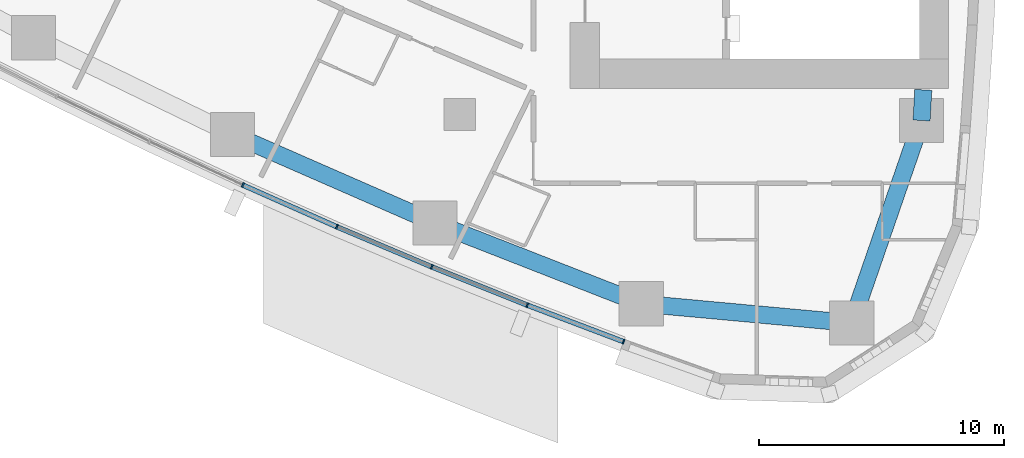
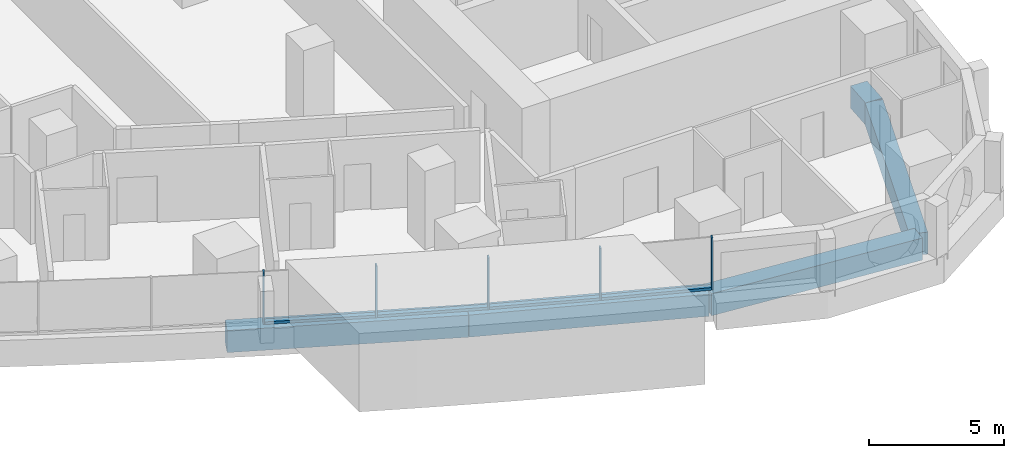
# One storey, part 3 of 19: 9 members, 5 beams, 3 elements without a shape of their own.
"""IFC4 building model written with IfcOpenShell, lengths in metres."""

from ifc_helpers import new_model, si_unit, direction, frame, origin, origin_2d, place, context, subcontext, project, spatial, rectangle, extrude, material, layer, layer_set, material_profile, profile_set, type_object, element, aggregate, save


model = new_model("IFC4")

# Units and contexts
model_context = context("Model", 3, precision=1e-05, world=origin(), true_north=direction((0.0, 1.0)))
body_context = subcontext(model_context, "Body", "Model", "MODEL_VIEW")
ifc_project = project(units=[si_unit("LENGTHUNIT", "METRE"), si_unit("AREAUNIT", "SQUARE_METRE"), si_unit("VOLUMEUNIT", "CUBIC_METRE"), si_unit("PLANEANGLEUNIT", "RADIAN"), si_unit("MASSUNIT", "GRAM", prefix="KILO")], contexts=[model_context])

# Site, building, storey
site_placement = place(None, origin())
site = spatial("IfcSite", under=ifc_project, at=site_placement, CompositionType="ELEMENT")
building_placement = place(site_placement, origin())
building = spatial("IfcBuilding", under=site, at=building_placement, Name="Ostrand Prow Hotel Tower", CompositionType="ELEMENT")
storey_placement = place(building_placement, frame((0.0, 0.0, 53.800048828125)))
storey = spatial("IfcBuildingStorey", under=building, at=storey_placement, Name="L11", CompositionType="ELEMENT", Elevation=53.800048828125)

# Beams
ifc_material_1 = material(Name="Concrete C80/95", Category="concrete")
ifc_material_profile_1 = material_profile(ifc_material_1, rectangle(XDim=0.699951171875, YDim=1.0, at=origin_2d()), Name="RC 700x1000")
ifc_profile_set_1 = profile_set([ifc_material_profile_1], Name="Concrete C80/95")
beam_type = type_object("IfcBeamType", Name="Edge beam 700x1000 C80/95", PredefinedType="SPANDREL", material=ifc_profile_set_1)
for number, where, z_axis, x_axis, name in (
    (1, (35.7412109375, -18.814208984375, -0.800048828125), (0.916095776162, -0.400959510297, 0.0), (0.400959510297, 0.916095776162, 0.0), "Edge beam S4-S5"),
    (2, (43.997802734375, -22.427978515625, -0.800048828125), (0.931329480916, -0.364177701098, 0.0), (0.364177701098, 0.931329480916, 0.0), "Edge beam S5-S6"),
):
    element("IfcBeam", number, at=place(storey_placement, frame(where, z_axis=z_axis, x_axis=x_axis)), inside=storey, type_object=beam_type, Name=name, PredefinedType="SPANDREL", context=body_context, shape_type="SweptSolid", body=[
        extrude(rectangle(XDim=0.699951171875, YDim=1.0, at=origin_2d()), origin(), (0.0, 0.0, 1.0), 9.0126953125),
    ])
beam_1_placement = place(storey_placement, frame((52.3916015625, -25.710205078125, -0.800048828125), z_axis=(0.995800189514, -0.091553167961, 0.0), x_axis=(0.091553167961, 0.995800189514, 0.0)))
element("IfcBeam", 3, at=beam_1_placement, inside=storey, type_object=beam_type, Name="Edge beam S6-SE", PredefinedType="SPANDREL", context=body_context, shape_type="SweptSolid", body=[
    extrude(rectangle(XDim=0.699951171875, YDim=1.0, at=origin_2d()), origin(), (0.0, 0.0, 1.0), 8.610595703125),
])
beam_2_placement = place(storey_placement, frame((60.966064453125, -26.49853515625, -0.800048828125), z_axis=(0.326263961413, 0.945278703602, 0.0), x_axis=(-0.945278703602, 0.326263961413, 0.0)))
element("IfcBeam", 4, at=beam_2_placement, inside=storey, type_object=beam_type, Name="Edge beam SE-B1", PredefinedType="SPANDREL", context=body_context, shape_type="SweptSolid", body=[
    extrude(rectangle(XDim=0.699951171875, YDim=1.0, at=origin_2d()), origin(), (0.0, 0.0, 1.0), 8.727294921875),
])
beam_3_placement = place(storey_placement, frame((63.8134765625, -18.248779296875, -0.800048828125), z_axis=(0.056215946509, 0.998418633319, 0.0), x_axis=(-0.998418633319, 0.056215946509, 0.0)))
element("IfcBeam", 5, at=beam_3_placement, inside=storey, type_object=beam_type, Name="Edge beam B1-B2", PredefinedType="SPANDREL", context=body_context, shape_type="SweptSolid", body=[
    extrude(rectangle(XDim=0.699951171875, YDim=1.0, at=origin_2d()), origin(), (0.0, 0.0, 1.0), 1.250732421875),
])

# Curtain wall, member
ifc_material_2 = material(Name="Insulated glass in bronze anodised frame", Category="glass")
ifc_layer = layer(ifc_material_2, 0.199951171875)
ifc_layer_set = layer_set([ifc_layer], Name="Insulated glass in bronze anodised frame")
curtain_wall_type = type_object("IfcCurtainWallType", Name="Strip curtain wall, fritted glass over bronze spandrel", PredefinedType="NOTDEFINED", material=ifc_layer_set)
curtain_wall_1_placement = place(storey_placement, origin())
curtain_wall_1 = element("IfcCurtainWall", 6, at=curtain_wall_1_placement, inside=storey, type_object=curtain_wall_type, Name="CW1 run CWS3", PredefinedType="NOTDEFINED")
ifc_material_3 = material(Name="Bronze anodised aluminium", Category="aluminium")
ifc_material_profile_2 = material_profile(ifc_material_3, rectangle(XDim=0.199951171875, YDim=0.06005859375, at=origin_2d()), Name="Mullion 60x200 bronze anodised aluminium")
ifc_profile_set_2 = profile_set([ifc_material_profile_2], Name="Bronze anodised aluminium")
member_type_1 = type_object("IfcMemberType", Name="Mullion 60x200 bronze anodised aluminium", PredefinedType="MULLION", material=ifc_profile_set_2)
member_1_placement = place(storey_placement, frame((36.162109375, -20.876953125, 0.89990234375), z_axis=(0.0, 0.0, 1.0), x_axis=(0.422529678615, 0.906349088757, 0.0)))
member_1 = element("IfcMember", 7, at=member_1_placement, type_object=member_type_1, Name="CW1 mullion 3", PredefinedType="MULLION", context=body_context, shape_type="SweptSolid", body=[
    extrude(rectangle(XDim=0.199951171875, YDim=0.06005859375, at=origin_2d()), origin(), (0.0, 0.0, 1.0), 2.35009765625),
])
aggregate(curtain_wall_1, [member_1])

# Curtain wall, members
curtain_wall_2_placement = place(storey_placement, origin())
curtain_wall_2 = element("IfcCurtainWall", 8, at=curtain_wall_2_placement, inside=storey, type_object=curtain_wall_type, Name="CW1 run CWS4", PredefinedType="NOTDEFINED")
member_2_placement = place(storey_placement, frame((39.99560546875, -22.5791015625, 0.89990234375), z_axis=(0.0, 0.0, 1.0), x_axis=(0.388892418709, 0.921283173987, 0.0)))
member_2 = element("IfcMember", 9, at=member_2_placement, type_object=member_type_1, Name="CW1 mullion 2", PredefinedType="MULLION", context=body_context, shape_type="SweptSolid", body=[
    extrude(rectangle(XDim=0.199951171875, YDim=0.06005859375, at=origin_2d()), origin(), (0.0, 0.0, 1.0), 2.35009765625),
])
member_3_placement = place(storey_placement, frame((43.859619140625, -24.210205078125, 0.89990234375), z_axis=(0.0, 0.0, 1.0), x_axis=(0.388892418709, 0.921283173987, 0.0)))
member_3 = element("IfcMember", 10, at=member_3_placement, type_object=member_type_1, Name="CW1 mullion 3", PredefinedType="MULLION", context=body_context, shape_type="SweptSolid", body=[
    extrude(rectangle(XDim=0.199951171875, YDim=0.06005859375, at=origin_2d()), origin(), (0.0, 0.0, 1.0), 2.35009765625),
])

curtain_wall_3_placement = place(storey_placement, origin())
curtain_wall_3 = element("IfcCurtainWall", 11, at=curtain_wall_3_placement, inside=storey, type_object=curtain_wall_type, Name="CW1 run CWS5", PredefinedType="NOTDEFINED")
member_4_placement = place(storey_placement, frame((47.7529296875, -25.769775390625, 0.89990234375), z_axis=(0.0, 0.0, 1.0), x_axis=(0.354728407072, 0.934969388384, 0.0)))
member_4 = element("IfcMember", 12, at=member_4_placement, type_object=member_type_1, Name="CW1 mullion 2", PredefinedType="MULLION", context=body_context, shape_type="SweptSolid", body=[
    extrude(rectangle(XDim=0.199951171875, YDim=0.06005859375, at=origin_2d()), origin(), (0.0, 0.0, 1.0), 2.35009765625),
])
member_5_placement = place(storey_placement, frame((51.674560546875, -27.2578125, 0.89990234375), z_axis=(0.0, 0.0, 1.0), x_axis=(0.354728407072, 0.934969388384, 0.0)))
member_5 = element("IfcMember", 13, at=member_5_placement, type_object=member_type_1, Name="CW1 mullion 3", PredefinedType="MULLION", context=body_context, shape_type="SweptSolid", body=[
    extrude(rectangle(XDim=0.199951171875, YDim=0.06005859375, at=origin_2d()), origin(), (0.0, 0.0, 1.0), 2.35009765625),
])

# Member
ifc_material_4 = material(Name="Bronze anodised aluminium", Category="aluminium")
ifc_material_profile_3 = material_profile(ifc_material_4, rectangle(XDim=0.199951171875, YDim=0.1201171875, at=origin_2d()), Name="Transom 120x200 bronze anodised aluminium")
ifc_profile_set_3 = profile_set([ifc_material_profile_3], Name="Bronze anodised aluminium")
member_type_2 = type_object("IfcMemberType", Name="Transom 120x200 bronze anodised aluminium", PredefinedType="USERDEFINED", material=ifc_profile_set_3)
member_6_placement = place(storey_placement, frame((36.189453125, -20.88916015625, 0.9599609375), z_axis=(0.913957599094, -0.405809693156, 0.0), x_axis=(0.405809693156, 0.913957599094, 0.0)))
member_6 = element("IfcMember", 14, at=member_6_placement, type_object=member_type_2, Name="CW1 transom 1.1", ObjectType="TRANSOM", PredefinedType="USERDEFINED", context=body_context, shape_type="SweptSolid", body=[
    extrude(rectangle(XDim=0.199951171875, YDim=0.1201171875, at=origin_2d()), origin(), (0.0, 0.0, 1.0), 4.13427734375),
])

member_7_placement = place(storey_placement, frame((40.023193359375, -22.5908203125, 0.9599609375), z_axis=(0.921284828297, -0.388888499637, 0.0), x_axis=(0.388888499637, 0.921284828297, 0.0)))
member_7 = element("IfcMember", 15, at=member_7_placement, type_object=member_type_2, Name="CW1 transom 2.1", ObjectType="TRANSOM", PredefinedType="USERDEFINED", context=body_context, shape_type="SweptSolid", body=[
    extrude(rectangle(XDim=0.199951171875, YDim=0.1201171875, at=origin_2d()), origin(), (0.0, 0.0, 1.0), 4.134033203125),
])

aggregate(curtain_wall_2, [member_2, member_3, member_6, member_7])

member_8_placement = place(storey_placement, frame((43.887451171875, -24.22119140625, 0.9599609375), z_axis=(0.928264761225, -0.371920062739, 0.0), x_axis=(0.371920062739, 0.928264761225, 0.0)))
member_8 = element("IfcMember", 16, at=member_8_placement, type_object=member_type_2, Name="CW1 transom 1.1", ObjectType="TRANSOM", PredefinedType="USERDEFINED", context=body_context, shape_type="SweptSolid", body=[
    extrude(rectangle(XDim=0.199951171875, YDim=0.1201171875, at=origin_2d()), origin(), (0.0, 0.0, 1.0), 4.13427734375),
])

member_9_placement = place(storey_placement, frame((47.781005859375, -25.780517578125, 0.9599609375), z_axis=(0.93497051437, -0.354725439261, 0.0), x_axis=(0.354725439261, 0.93497051437, 0.0)))
member_9 = element("IfcMember", 17, at=member_9_placement, type_object=member_type_2, Name="CW1 transom 2.1", ObjectType="TRANSOM", PredefinedType="USERDEFINED", context=body_context, shape_type="SweptSolid", body=[
    extrude(rectangle(XDim=0.199951171875, YDim=0.1201171875, at=origin_2d()), origin(), (0.0, 0.0, 1.0), 4.13427734375),
])

aggregate(curtain_wall_3, [member_4, member_5, member_8, member_9])

save(model, "model.ifc")
